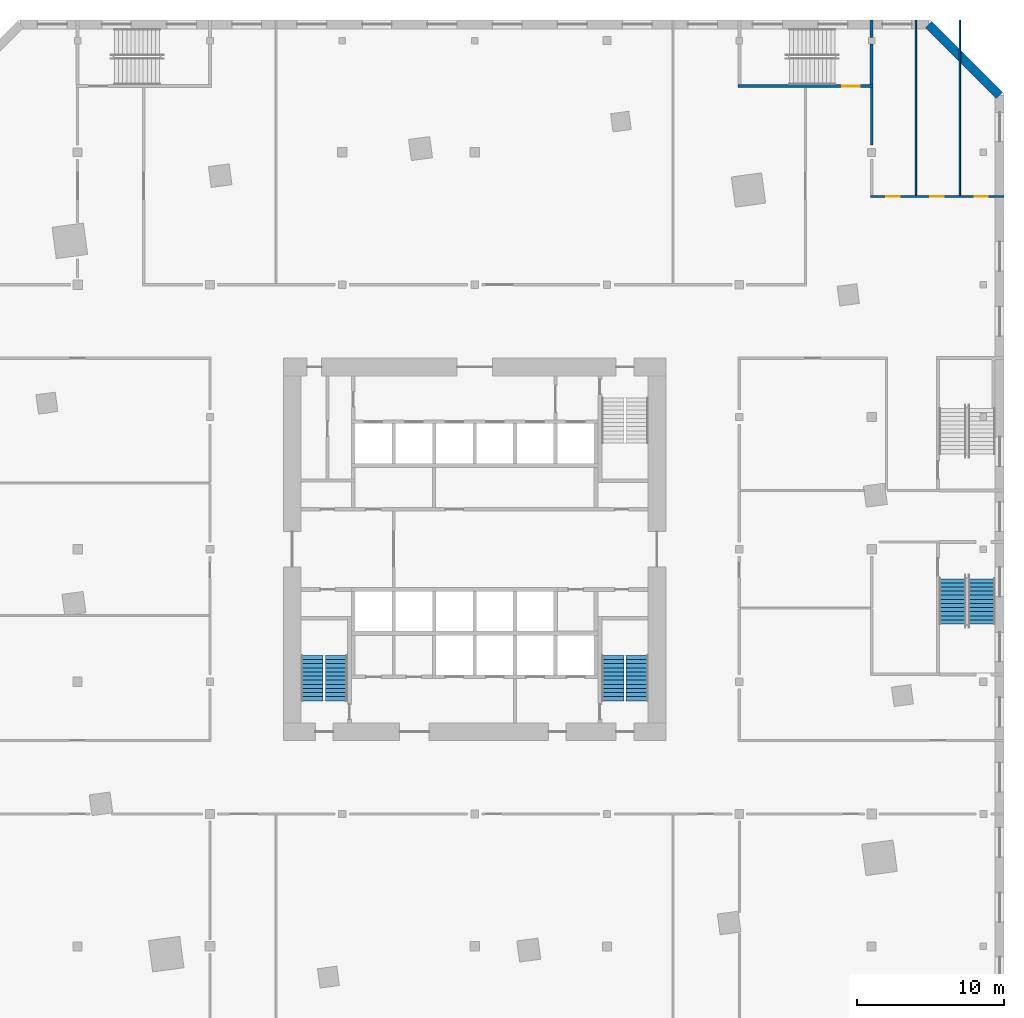
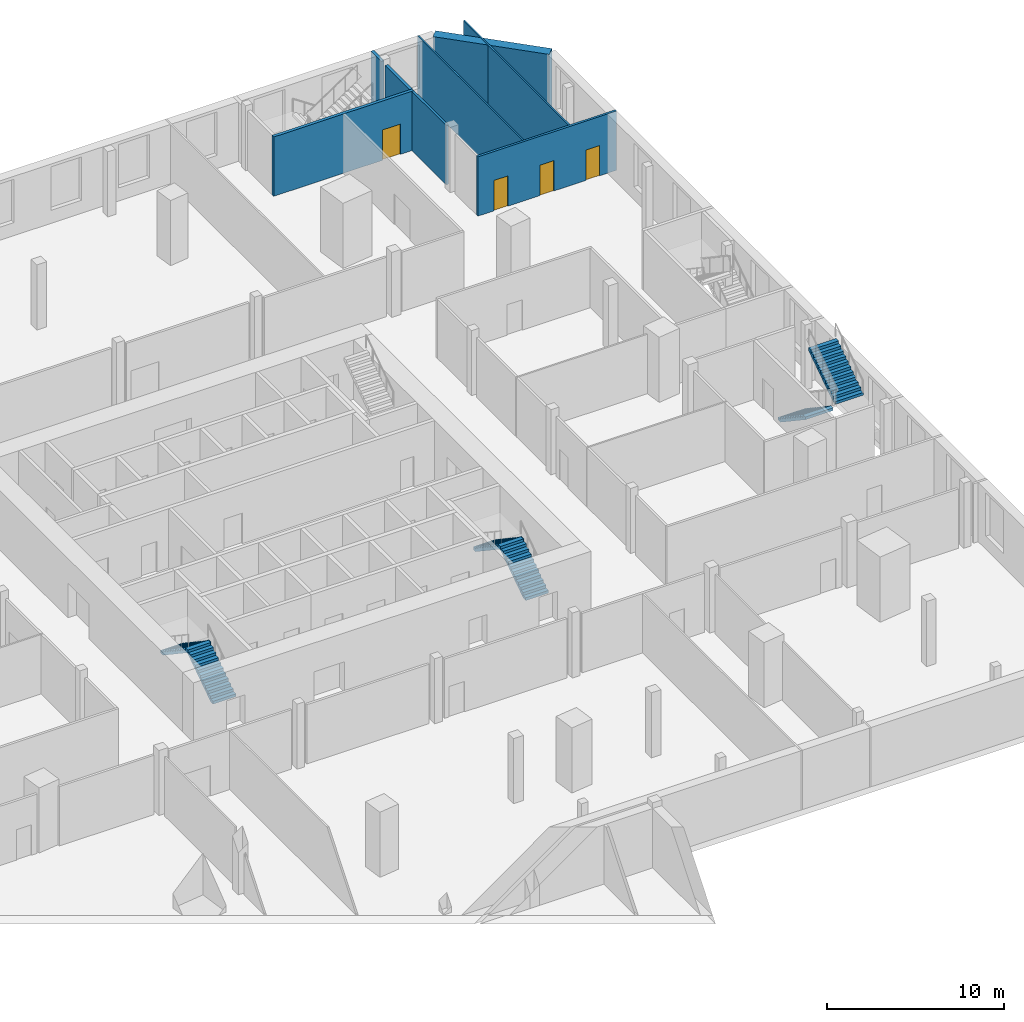
# One storey, part 13 of 18: 8 walls, 6 stair flights, 4 doors, 4 openings, 3 elements without a shape of their own.
"""IFC4 building model written with IfcOpenShell, lengths in metres."""

from ifc_helpers import new_model, si_unit, direction, frame, frame_2d, origin, place, context, subcontext, project, spatial, polyline, rectangle, outline, extrude, material, layer, layer_set, type_object, element, fill, aggregate, save


model = new_model("IFC4")

# Units and contexts
model_context = context("Model", 3, precision=1e-05, world=origin(), true_north=direction((0.0, 1.0)))
body_context = subcontext(model_context, "Body", "Model", "MODEL_VIEW")
ifc_project = project(units=[si_unit("LENGTHUNIT", "METRE"), si_unit("AREAUNIT", "SQUARE_METRE"), si_unit("VOLUMEUNIT", "CUBIC_METRE"), si_unit("PLANEANGLEUNIT", "RADIAN"), si_unit("MASSUNIT", "GRAM", prefix="KILO")], contexts=[model_context])

# Site, building, storey
site_placement = place(None, origin())
site = spatial("IfcSite", under=ifc_project, at=site_placement, CompositionType="ELEMENT")
building_placement = place(site_placement, origin())
building = spatial("IfcBuilding", under=site, at=building_placement, Name="Dilmun Exchange Tower", CompositionType="ELEMENT")
storey_placement = place(building_placement, frame((0.0, 0.0, 13.5)))
storey = spatial("IfcBuildingStorey", under=building, at=storey_placement, Name="L03", CompositionType="ELEMENT", Elevation=13.5)

# Wall, openings, doors
ifc_material_1 = material(Name="Fire partition EI 60 150 gypsum")
ifc_layer_1 = layer(ifc_material_1, 0.14990234375)
ifc_layer_set_1 = layer_set([ifc_layer_1], Name="Fire partition EI 60 150 gypsum")
wall_type_1 = type_object("IfcWallType", Name="Fire partition EI 60 150 gypsum", PredefinedType="PARTITIONING", material=ifc_layer_set_1)
wall_1_placement = place(storey_placement, frame((26.925048828125, 24.0, 0.0), z_axis=(0.0, 0.0, 1.0), x_axis=(1.0, 0.0, 0.0)))
wall_1 = element("IfcWall", 1, at=wall_1_placement, inside=storey, type_object=wall_type_1, Name="L03 partition", PredefinedType="PARTITIONING", context=body_context, shape_type="SweptSolid", body=[
    extrude(rectangle(XDim=9.074951171875, YDim=0.14990234375, at=frame_2d((4.53759765625, 0.0))), origin(), (0.0, 0.0, 1.0), 4.10009765625),
])
opening_1_placement = place(wall_1_placement, frame((1.074951171875, 0.0, 0.0)))
opening_1 = element("IfcOpeningElement", 2, at=opening_1_placement, cuts=wall_1, Name="Opening L03-D005", PredefinedType="OPENING", context=body_context, shape_type="SweptSolid", body=[
    extrude(rectangle(XDim=0.89990234375, YDim=2.10009765625, at=frame_2d((0.449951171875, 1.050048828125))), frame((0.0, 0.0849609375, 0.0), z_axis=(0.0, -1.0, 0.0), x_axis=(1.0, 0.0, 0.0)), (0.0, 0.0, 1.0), 0.169921875),
])
opening_2_placement = place(wall_1_placement, frame((4.074951171875, 0.0, 0.0)))
opening_2 = element("IfcOpeningElement", 3, at=opening_2_placement, cuts=wall_1, Name="Opening L03-D006", PredefinedType="OPENING", context=body_context, shape_type="SweptSolid", body=[
    extrude(rectangle(XDim=0.89990234375, YDim=2.10009765625, at=frame_2d((0.449951171875, 1.050048828125))), frame((0.0, 0.0849609375, 0.0), z_axis=(0.0, -1.0, 0.0), x_axis=(1.0, 0.0, 0.0)), (0.0, 0.0, 1.0), 0.169921875),
])
opening_3_placement = place(wall_1_placement, frame((7.074951171875, 0.0, 0.0)))
opening_3 = element("IfcOpeningElement", 4, at=opening_3_placement, cuts=wall_1, Name="Opening L03-D007", PredefinedType="OPENING", context=body_context, shape_type="SweptSolid", body=[
    extrude(rectangle(XDim=0.89990234375, YDim=2.10009765625, at=frame_2d((0.449951171875, 1.050048828125))), frame((0.0, 0.0849609375, 0.0), z_axis=(0.0, -1.0, 0.0), x_axis=(1.0, 0.0, 0.0)), (0.0, 0.0, 1.0), 0.169921875),
])
ifc_material_2 = material(Name="Door 900 x 2100")
door_type_1 = type_object("IfcDoorType", Name="Door 900 x 2100", OperationType="SINGLE_SWING_LEFT", PredefinedType="DOOR", material=ifc_material_2)
door_1_placement = place(opening_1_placement, origin())
door_1 = element("IfcDoor", 5, at=door_1_placement, inside=storey, type_object=door_type_1, Name="L03 door L03-D005", OperationType="SINGLE_SWING_LEFT", OverallHeight=2.10009765625, OverallWidth=0.89990234375, PredefinedType="DOOR", context=body_context, shape_type="SweptSolid", body=[
    extrude(rectangle(XDim=0.89990234375, YDim=2.10009765625, at=frame_2d((0.449951171875, 1.050048828125))), frame((0.0, 0.02490234375, 0.0), z_axis=(0.0, -1.0, 0.0), x_axis=(1.0, 0.0, 0.0)), (0.0, 0.0, 1.0), 0.050048828125),
])
fill(opening_1, door_1)
door_2_placement = place(opening_2_placement, origin())
door_2 = element("IfcDoor", 6, at=door_2_placement, inside=storey, type_object=door_type_1, Name="L03 door L03-D006", OperationType="SINGLE_SWING_RIGHT", OverallHeight=2.10009765625, OverallWidth=0.89990234375, PredefinedType="DOOR", context=body_context, shape_type="SweptSolid", body=[
    extrude(rectangle(XDim=0.89990234375, YDim=2.10009765625, at=frame_2d((0.449951171875, 1.050048828125))), frame((0.0, 0.02490234375, 0.0), z_axis=(0.0, -1.0, 0.0), x_axis=(1.0, 0.0, 0.0)), (0.0, 0.0, 1.0), 0.050048828125),
])
fill(opening_2, door_2)
door_3_placement = place(opening_3_placement, origin())
door_3 = element("IfcDoor", 7, at=door_3_placement, inside=storey, type_object=door_type_1, Name="L03 door L03-D007", OperationType="SINGLE_SWING_LEFT", OverallHeight=2.10009765625, OverallWidth=0.89990234375, PredefinedType="DOOR", context=body_context, shape_type="SweptSolid", body=[
    extrude(rectangle(XDim=0.89990234375, YDim=2.10009765625, at=frame_2d((0.449951171875, 1.050048828125))), frame((0.0, 0.02490234375, 0.0), z_axis=(0.0, -1.0, 0.0), x_axis=(1.0, 0.0, 0.0)), (0.0, 0.0, 1.0), 0.050048828125),
])
fill(opening_3, door_3)

# Wall
wall_2_placement = place(storey_placement, frame((27.0, 27.5, 0.0), z_axis=(0.0, 0.0, 1.0), x_axis=(0.0, 1.0, 0.0)))
element("IfcWall", 8, at=wall_2_placement, inside=storey, type_object=wall_type_1, Name="L03 partition", PredefinedType="PARTITIONING", context=body_context, shape_type="SweptSolid", body=[
    extrude(rectangle(XDim=3.89990234375, YDim=0.14990234375, at=frame_2d((1.949951171875, 0.0))), origin(), (0.0, 0.0, 1.0), 4.10009765625),
])

# Wall, opening, door
ifc_material_3 = material(Name="Fire wall EI 120 200 blockwork", Category="masonry")
ifc_layer_2 = layer(ifc_material_3, 0.199951171875)
ifc_layer_set_2 = layer_set([ifc_layer_2], Name="Fire wall EI 120 200 blockwork")
wall_type_2 = type_object("IfcWallType", Name="Fire wall EI 120 200 blockwork", PredefinedType="PARTITIONING", material=ifc_layer_set_2)
wall_3_placement = place(storey_placement, frame((17.89990234375, 31.5, 0.0), z_axis=(0.0, 0.0, 1.0), x_axis=(1.0, 0.0, 0.0)))
wall_3 = element("IfcWall", 9, at=wall_3_placement, inside=storey, type_object=wall_type_2, Name="L03 stair wall", PredefinedType="PARTITIONING", context=body_context, shape_type="SweptSolid", body=[
    extrude(rectangle(XDim=9.175048828125, YDim=0.199951171875, at=frame_2d((4.58740234375, 0.0))), origin(), (0.0, 0.0, 1.0), 4.10009765625),
])
opening_4_placement = place(wall_3_placement, frame((7.10009765625, 0.0, 0.0)))
opening_4 = element("IfcOpeningElement", 10, at=opening_4_placement, cuts=wall_3, Name="Opening L03-D002", PredefinedType="OPENING", context=body_context, shape_type="SweptSolid", body=[
    extrude(rectangle(XDim=1.199951171875, YDim=2.10009765625, at=frame_2d((0.60009765625, 1.050048828125))), frame((0.0, 0.10986328125, 0.0), z_axis=(0.0, -1.0, 0.0), x_axis=(1.0, 0.0, 0.0)), (0.0, 0.0, 1.0), 0.219970703125),
])
ifc_material_4 = material(Name="Stair door FD90 1200 x 2100")
door_type_2 = type_object("IfcDoorType", Name="Stair door FD90 1200 x 2100", OperationType="SINGLE_SWING_LEFT", PredefinedType="DOOR", material=ifc_material_4)
door_4_placement = place(opening_4_placement, origin())
door_4 = element("IfcDoor", 11, at=door_4_placement, inside=storey, type_object=door_type_2, Name="L03 door L03-D002", OperationType="SINGLE_SWING_RIGHT", OverallHeight=2.10009765625, OverallWidth=1.199951171875, PredefinedType="DOOR", context=body_context, shape_type="SweptSolid", body=[
    extrude(rectangle(XDim=1.199951171875, YDim=2.10009765625, at=frame_2d((0.60009765625, 1.050048828125))), frame((0.0, 0.02490234375, 0.0), z_axis=(0.0, -1.0, 0.0), x_axis=(1.0, 0.0, 0.0)), (0.0, 0.0, 1.0), 0.050048828125),
])
fill(opening_4, door_4)

# Walls
wall_4_placement = place(storey_placement, frame((27.0, 31.60009765625, 0.0), z_axis=(0.0, 0.0, 1.0), x_axis=(0.0, 1.0, 0.0)))
element("IfcWall", 12, at=wall_4_placement, inside=storey, type_object=wall_type_2, Name="L03 stair wall", PredefinedType="PARTITIONING", context=body_context, shape_type="SweptSolid", body=[
    extrude(rectangle(XDim=2.77490234375, YDim=0.199951171875, at=frame_2d((1.387451171875, 0.0))), origin(), (0.0, 0.0, 1.0), 4.10009765625),
])
wall_5_placement = place(storey_placement, frame((27.0, 34.824951171875, 0.0), z_axis=(0.0, 0.0, 1.0), x_axis=(0.0, 1.0, 0.0)))
element("IfcWall", 13, at=wall_5_placement, inside=storey, type_object=wall_type_2, Name="L03 stair wall", PredefinedType="PARTITIONING", context=body_context, shape_type="SweptSolid", body=[
    extrude(rectangle(XDim=1.175048828125, YDim=0.199951171875, at=frame_2d((0.58740234375, 0.0))), origin(), (0.0, 0.0, 1.0), 4.10009765625),
])
ifc_material_5 = material(Name="Partition 100 gypsum")
ifc_layer_3 = layer(ifc_material_5, 0.10009765625)
ifc_layer_set_3 = layer_set([ifc_layer_3], Name="Partition 100 gypsum")
wall_type_3 = type_object("IfcWallType", Name="Partition 100 gypsum", PredefinedType="PARTITIONING", material=ifc_layer_set_3)
for number, where, z_axis, x_axis, name in (
    (14, (30.0, 24.074951171875, 0.0), (0.0, 0.0, 1.0), (0.0, 1.0, 0.0), "L03 partition"),
    (15, (33.0, 24.074951171875, 0.0), (0.0, 0.0, 1.0), (0.0, 1.0, 0.0), "L03 partition"),
):
    element("IfcWall", number, at=place(storey_placement, frame(where, z_axis=z_axis, x_axis=x_axis)), inside=storey, type_object=wall_type_3, Name=name, PredefinedType="PARTITIONING", context=body_context, shape_type="SweptSolid", body=[
        extrude(rectangle(XDim=11.925048828125, YDim=0.10009765625, at=frame_2d((5.96240234375, 0.0))), origin(), (0.0, 0.0, 1.0), 4.10009765625),
    ])
ifc_material_6 = material(Name="Precast concrete C50/60", Category="concrete")
ifc_layer_4 = layer(ifc_material_6, 0.60009765625)
ifc_layer_set_4 = layer_set([ifc_layer_4], Name="Precast concrete C50/60")
wall_type_4 = type_object("IfcWallType", Name="Precast stone-clad wall 600", PredefinedType="STANDARD", material=ifc_layer_set_4)
wall_6_placement = place(storey_placement, frame((35.699951171875, 30.875732421875, 0.0), z_axis=(0.0, 0.0, 1.0), x_axis=(-0.707106781187, 0.707106781187, 0.0)))
element("IfcWall", 16, at=wall_6_placement, inside=storey, type_object=wall_type_4, Name="Facade wall L03-03-0", PredefinedType="STANDARD", context=body_context, shape_type="SweptSolid", body=[
    extrude(rectangle(XDim=6.822509765625, YDim=0.60009765625, at=frame_2d((3.4111328125, 0.0))), origin(), (0.0, 0.0, 1.0), 4.10009765625),
])

# Stair, stair flights
ifc_material_7 = material(Name="Concrete C40/50", Category="concrete")
stair_type_1 = type_object("IfcStairType", Name="Exit stair 1500 half-turn", PredefinedType="HALF_TURN_STAIR", material=ifc_material_7)
stair_1_placement = place(storey_placement, origin())
stair_1 = element("IfcStair", 17, at=stair_1_placement, inside=storey, type_object=stair_type_1, Name="L03 Protected exit stair ST2", PredefinedType="HALF_TURN_STAIR")
stair_flight_type_1 = type_object("IfcStairFlightType", Name="Exit stair flight 1500", PredefinedType="STRAIGHT", material=ifc_material_7)
stair_flight_1_placement = place(storey_placement, frame((-9.39990234375, -10.300048828125, 0.0), z_axis=(0.0, 0.0, 1.0), x_axis=(0.0, 1.0, 0.0)))
stair_flight_1 = element("IfcStairFlight", 18, at=stair_flight_1_placement, type_object=stair_flight_type_1, Name="ST2 flight 1", NumberOfRisers=12, NumberOfTreads=11, PredefinedType="STRAIGHT", RiserHeight=0.1875, TreadLength=0.28, context=body_context, shape_type="SweptSolid", body=[
    extrude(outline(polyline([(0.0, 0.0), (0.0, 0.1875), (0.280029296875, 0.1875), (0.280029296875, 0.375), (0.56005859375, 0.375), (0.56005859375, 0.5625), (0.840087890625, 0.5625), (0.840087890625, 0.75), (1.1201171875, 0.75), (1.1201171875, 0.9375), (1.39990234375, 0.9375), (1.39990234375, 1.125), (1.679931640625, 1.125), (1.679931640625, 1.3125), (1.9599609375, 1.3125), (1.9599609375, 1.5), (2.239990234375, 1.5), (2.239990234375, 1.6875), (2.52001953125, 1.6875), (2.52001953125, 1.875), (2.800048828125, 1.875), (2.800048828125, 2.0625), (3.080078125, 2.0625), (3.080078125, 2.25), (3.080078125, 1.882080078125), (0.26953125, 0.0), (0.0, 0.0)])), frame((0.0, 0.75, 0.0), z_axis=(0.0, -1.0, 0.0), x_axis=(1.0, 0.0, 0.0)), (0.0, 0.0, 1.0), 1.5),
])
stair_flight_2_placement = place(storey_placement, frame((-11.050048828125, -7.219970703125, 2.25), z_axis=(0.0, 0.0, 1.0), x_axis=(0.0, -1.0, 0.0)))
stair_flight_2 = element("IfcStairFlight", 19, at=stair_flight_2_placement, type_object=stair_flight_type_1, Name="ST2 flight 2", NumberOfRisers=12, NumberOfTreads=11, PredefinedType="STRAIGHT", RiserHeight=0.1875, TreadLength=0.28, context=body_context, shape_type="SweptSolid", body=[
    extrude(outline(polyline([(0.0, 0.0), (0.0, 0.1875), (0.280029296875, 0.1875), (0.280029296875, 0.375), (0.56005859375, 0.375), (0.56005859375, 0.5625), (0.840087890625, 0.5625), (0.840087890625, 0.75), (1.1201171875, 0.75), (1.1201171875, 0.9375), (1.39990234375, 0.9375), (1.39990234375, 1.125), (1.679931640625, 1.125), (1.679931640625, 1.3125), (1.9599609375, 1.3125), (1.9599609375, 1.5), (2.239990234375, 1.5), (2.239990234375, 1.6875), (2.52001953125, 1.6875), (2.52001953125, 1.875), (2.800048828125, 1.875), (2.800048828125, 2.0625), (3.080078125, 2.0625), (3.080078125, 2.25), (3.080078125, 1.882080078125), (0.26953125, 0.0), (0.0, 0.0)])), frame((0.0, 0.75, 0.0), z_axis=(0.0, -1.0, 0.0), x_axis=(1.0, 0.0, 0.0)), (0.0, 0.0, 1.0), 1.5),
])
aggregate(stair_1, [stair_flight_1, stair_flight_2])

stair_2_placement = place(storey_placement, origin())
stair_2 = element("IfcStair", 20, at=stair_2_placement, inside=storey, type_object=stair_type_1, Name="L03 Protected exit stair ST3", PredefinedType="HALF_TURN_STAIR")
stair_flight_3_placement = place(storey_placement, frame((11.050048828125, -10.300048828125, 0.0), z_axis=(0.0, 0.0, 1.0), x_axis=(0.0, 1.0, 0.0)))
stair_flight_3 = element("IfcStairFlight", 21, at=stair_flight_3_placement, type_object=stair_flight_type_1, Name="ST3 flight 1", NumberOfRisers=12, NumberOfTreads=11, PredefinedType="STRAIGHT", RiserHeight=0.1875, TreadLength=0.28, context=body_context, shape_type="SweptSolid", body=[
    extrude(outline(polyline([(0.0, 0.0), (0.0, 0.1875), (0.280029296875, 0.1875), (0.280029296875, 0.375), (0.56005859375, 0.375), (0.56005859375, 0.5625), (0.840087890625, 0.5625), (0.840087890625, 0.75), (1.1201171875, 0.75), (1.1201171875, 0.9375), (1.39990234375, 0.9375), (1.39990234375, 1.125), (1.679931640625, 1.125), (1.679931640625, 1.3125), (1.9599609375, 1.3125), (1.9599609375, 1.5), (2.239990234375, 1.5), (2.239990234375, 1.6875), (2.52001953125, 1.6875), (2.52001953125, 1.875), (2.800048828125, 1.875), (2.800048828125, 2.0625), (3.080078125, 2.0625), (3.080078125, 2.25), (3.080078125, 1.882080078125), (0.26953125, 0.0), (0.0, 0.0)])), frame((0.0, 0.75, 0.0), z_axis=(0.0, -1.0, 0.0), x_axis=(1.0, 0.0, 0.0)), (0.0, 0.0, 1.0), 1.5),
])
stair_flight_4_placement = place(storey_placement, frame((9.39990234375, -7.219970703125, 2.25), z_axis=(0.0, 0.0, 1.0), x_axis=(0.0, -1.0, 0.0)))
stair_flight_4 = element("IfcStairFlight", 22, at=stair_flight_4_placement, type_object=stair_flight_type_1, Name="ST3 flight 2", NumberOfRisers=12, NumberOfTreads=11, PredefinedType="STRAIGHT", RiserHeight=0.1875, TreadLength=0.28, context=body_context, shape_type="SweptSolid", body=[
    extrude(outline(polyline([(0.0, 0.0), (0.0, 0.1875), (0.280029296875, 0.1875), (0.280029296875, 0.375), (0.56005859375, 0.375), (0.56005859375, 0.5625), (0.840087890625, 0.5625), (0.840087890625, 0.75), (1.1201171875, 0.75), (1.1201171875, 0.9375), (1.39990234375, 0.9375), (1.39990234375, 1.125), (1.679931640625, 1.125), (1.679931640625, 1.3125), (1.9599609375, 1.3125), (1.9599609375, 1.5), (2.239990234375, 1.5), (2.239990234375, 1.6875), (2.52001953125, 1.6875), (2.52001953125, 1.875), (2.800048828125, 1.875), (2.800048828125, 2.0625), (3.080078125, 2.0625), (3.080078125, 2.25), (3.080078125, 1.882080078125), (0.26953125, 0.0), (0.0, 0.0)])), frame((0.0, 0.75, 0.0), z_axis=(0.0, -1.0, 0.0), x_axis=(1.0, 0.0, 0.0)), (0.0, 0.0, 1.0), 1.5),
])
aggregate(stair_2, [stair_flight_3, stair_flight_4])

stair_type_2 = type_object("IfcStairType", Name="Podium exit stair 1500", PredefinedType="HALF_TURN_STAIR", material=ifc_material_7)
stair_3_placement = place(storey_placement, origin())
stair_3 = element("IfcStair", 23, at=stair_3_placement, inside=storey, type_object=stair_type_2, Name="L03 Podium exit stair PS3", PredefinedType="HALF_TURN_STAIR")
stair_flight_type_2 = type_object("IfcStairFlightType", Name="Podium stair flight 1500", PredefinedType="STRAIGHT", material=ifc_material_7)
stair_flight_5_placement = place(storey_placement, frame((32.511962890625, -2.0, 0.0), z_axis=(0.0, 0.0, 1.0), x_axis=(0.0, -1.0, 0.0)))
stair_flight_5 = element("IfcStairFlight", 24, at=stair_flight_5_placement, type_object=stair_flight_type_2, Name="PS3 flight 1", NumberOfRisers=12, NumberOfTreads=11, PredefinedType="STRAIGHT", RiserHeight=0.1875, TreadLength=0.28, context=body_context, shape_type="SweptSolid", body=[
    extrude(outline(polyline([(0.0, 0.0), (0.0, 0.1875), (0.280029296875, 0.1875), (0.280029296875, 0.375), (0.56005859375, 0.375), (0.56005859375, 0.5625), (0.840087890625, 0.5625), (0.840087890625, 0.75), (1.1201171875, 0.75), (1.1201171875, 0.9375), (1.39990234375, 0.9375), (1.39990234375, 1.125), (1.679931640625, 1.125), (1.679931640625, 1.3125), (1.9599609375, 1.3125), (1.9599609375, 1.5), (2.239990234375, 1.5), (2.239990234375, 1.6875), (2.52001953125, 1.6875), (2.52001953125, 1.875), (2.800048828125, 1.875), (2.800048828125, 2.0625), (3.080078125, 2.0625), (3.080078125, 2.25), (3.080078125, 1.882080078125), (0.26953125, 0.0), (0.0, 0.0)])), frame((0.0, 0.912109375, 0.0), z_axis=(0.0, -1.0, 0.0), x_axis=(1.0, 0.0, 0.0)), (0.0, 0.0, 1.0), 1.823974609375),
])
stair_flight_6_placement = place(storey_placement, frame((34.486083984375, -5.080078125, 2.25), z_axis=(0.0, 0.0, 1.0), x_axis=(0.0, 1.0, 0.0)))
stair_flight_6 = element("IfcStairFlight", 25, at=stair_flight_6_placement, type_object=stair_flight_type_2, Name="PS3 flight 2", NumberOfRisers=12, NumberOfTreads=11, PredefinedType="STRAIGHT", RiserHeight=0.1875, TreadLength=0.28, context=body_context, shape_type="SweptSolid", body=[
    extrude(outline(polyline([(0.0, 0.0), (0.0, 0.1875), (0.280029296875, 0.1875), (0.280029296875, 0.375), (0.56005859375, 0.375), (0.56005859375, 0.5625), (0.840087890625, 0.5625), (0.840087890625, 0.75), (1.1201171875, 0.75), (1.1201171875, 0.9375), (1.39990234375, 0.9375), (1.39990234375, 1.125), (1.679931640625, 1.125), (1.679931640625, 1.3125), (1.9599609375, 1.3125), (1.9599609375, 1.5), (2.239990234375, 1.5), (2.239990234375, 1.6875), (2.52001953125, 1.6875), (2.52001953125, 1.875), (2.800048828125, 1.875), (2.800048828125, 2.0625), (3.080078125, 2.0625), (3.080078125, 2.25), (3.080078125, 1.882080078125), (0.26953125, 0.0), (0.0, 0.0)])), frame((0.0, 0.912109375, 0.0), z_axis=(0.0, -1.0, 0.0), x_axis=(1.0, 0.0, 0.0)), (0.0, 0.0, 1.0), 1.823974609375),
])
aggregate(stair_3, [stair_flight_5, stair_flight_6])

save(model, "model.ifc")
